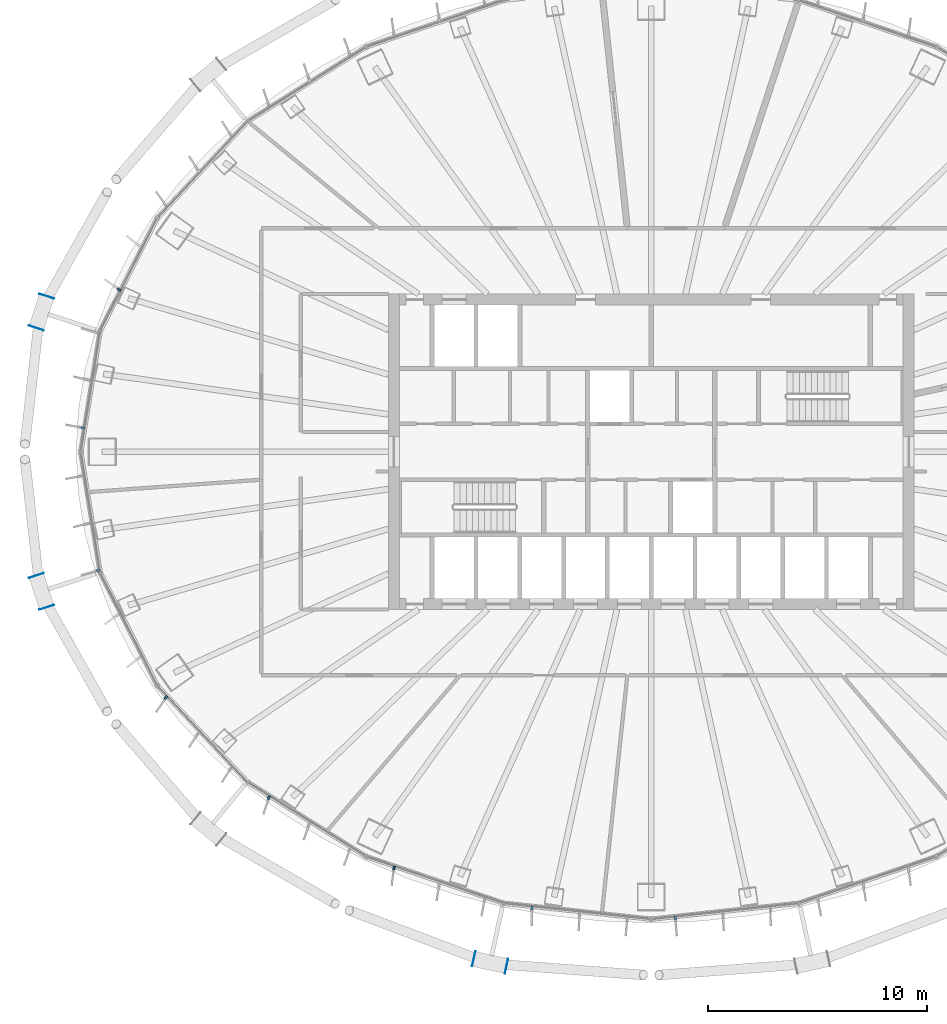
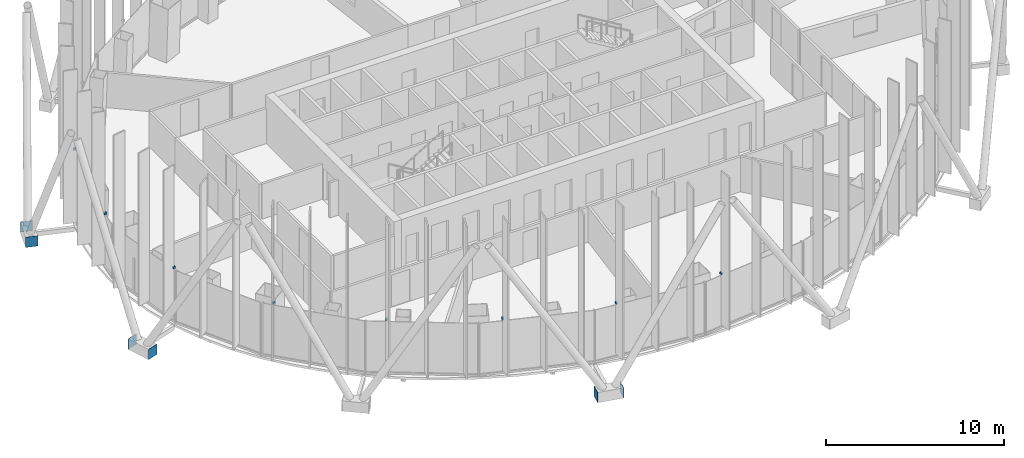
# One storey, part 13 of 19: 14 discrete accessories.
"""IFC4 building model written with IfcOpenShell, lengths in metres."""

from ifc_helpers import new_model, si_unit, direction, frame, origin, origin_2d, place, context, subcontext, project, spatial, rectangle, extrude, material, layer, layer_set, type_object, element, save


model = new_model("IFC4")

# Units and contexts
model_context = context("Model", 3, precision=1e-05, world=origin(), true_north=direction((0.0, 1.0)))
body_context = subcontext(model_context, "Body", "Model", "MODEL_VIEW")
ifc_project = project(units=[si_unit("LENGTHUNIT", "METRE"), si_unit("AREAUNIT", "SQUARE_METRE"), si_unit("VOLUMEUNIT", "CUBIC_METRE"), si_unit("PLANEANGLEUNIT", "RADIAN"), si_unit("MASSUNIT", "GRAM", prefix="KILO")], contexts=[model_context])

# Site, building, storey
site_placement = place(None, origin())
site = spatial("IfcSite", under=ifc_project, at=site_placement, CompositionType="ELEMENT")
building_placement = place(site_placement, origin())
building = spatial("IfcBuilding", under=site, at=building_placement, Name="Siaravel Broadcast Tower", CompositionType="ELEMENT")
storey_placement = place(building_placement, frame((0.0, 0.0, 97.10009765625)))
storey = spatial("IfcBuildingStorey", under=building, at=storey_placement, Name="L22", CompositionType="ELEMENT", Elevation=97.10009765625)

# Discrete accessories
ifc_material_1 = material(Name="Stainless steel 316", Category="steel")
discrete_accessory_type_1 = type_object("IfcDiscreteAccessoryType", Name="Stainless steel fin bracket", PredefinedType="USERDEFINED", material=ifc_material_1)
for number, where, z_axis, x_axis, name in (
    (1, (-24.29248046875, 7.4013671875, 3.68505859375), (0.0, 0.0, 1.0), (-0.892392151, 0.451260732, 0.0), "Fin bracket L22-31"),
    (2, (-25.94482421875, 1.0927734375, 3.68505859375), (0.0, 0.0, 1.0), (-0.987329198, 0.158685394, 0.0), "Fin bracket L22-34"),
    (3, (-25.25048828125, -5.413330078125, 3.68505859375), (0.0, 0.0, 1.0), (-0.987329198, -0.158685394, 0.0), "Fin bracket L22-37"),
    (4, (-22.149169921875, -11.21630859375, 3.68505859375), (0.0, 0.0, 1.0), (-0.729804415, -0.683655992, 0.0), "Fin bracket L22-40"),
    (5, (-17.453857421875, -15.78662109375, 3.68505859375), (0.0, 0.0, 1.0), (-0.532149452, -0.846650436, 0.0), "Fin bracket L22-43"),
    (6, (-11.74169921875, -18.998291015625, 3.68505859375), (0.0, 0.0, 1.0), (-0.321300635, -0.946977245, 0.0), "Fin bracket L22-46"),
    (7, (-5.447021484375, -20.831298828125, 3.68505859375), (0.0, 0.0, 1.0), (-0.107216783, -0.994235667, 0.0), "Fin bracket L22-49"),
    (8, (1.09619140625, -21.300537109375, 3.68505859375), (0.0, 0.0, 1.0), (0.107216783, -0.994235667, 0.0), "Fin bracket L22-52"),
):
    element("IfcDiscreteAccessory", number, at=place(storey_placement, frame(where, z_axis=z_axis, x_axis=x_axis)), inside=storey, type_object=discrete_accessory_type_1, Name=name, ObjectType="BRACKET", PredefinedType="USERDEFINED", context=body_context, shape_type="SweptSolid", body=[
        extrude(rectangle(XDim=0.159912109375, YDim=0.10009765625, at=origin_2d()), origin(), (0.0, 0.0, 1.0), 0.139892578125),
    ])
ifc_material_2 = material(Name="Steel S355", Category="steel")
ifc_layer = layer(ifc_material_2, 0.02001953125)
ifc_layer_set = layer_set([ifc_layer], Name="Steel S355")
discrete_accessory_type_2 = type_object("IfcDiscreteAccessoryType", Name="Steel end plate 20 mm", PredefinedType="USERDEFINED", material=ifc_layer_set)
for number, where, z_axis, x_axis, name in (
    (9, (-28.072998046875, 5.64990234375, -0.55029296875), (0.0, 0.0, 1.0), (-0.310908675, -0.950439791, 0.0), "End plate R10 station 33A"),
    (10, (-27.598388671875, 7.10107421875, -0.55029296875), (0.0, 0.0, 1.0), (-0.310908675, -0.950439791, 0.0), "End plate R10 station 33B"),
    (11, (-27.598388671875, -7.10107421875, -0.55029296875), (0.0, 0.0, 1.0), (0.310908675, -0.950439791, 0.0), "End plate R10 station 39A"),
    (12, (-28.072998046875, -5.64990234375, -0.55029296875), (0.0, 0.0, 1.0), (0.310908675, -0.950439791, 0.0), "End plate R10 station 39B"),
    (13, (-6.608154296875, -23.479736328125, -0.55029296875), (0.0, 0.0, 1.0), (0.976750917, -0.214377344, 0.0), "End plate R10 station 51A"),
    (14, (-8.099609375, -23.15234375, -0.55029296875), (0.0, 0.0, 1.0), (0.976750917, -0.214377344, 0.0), "End plate R10 station 51B"),
):
    element("IfcDiscreteAccessory", number, at=place(storey_placement, frame(where, z_axis=z_axis, x_axis=x_axis)), inside=storey, type_object=discrete_accessory_type_2, Name=name, ObjectType="END PLATE", PredefinedType="USERDEFINED", context=body_context, shape_type="SweptSolid", body=[
        extrude(rectangle(XDim=0.02001953125, YDim=0.699951171875, at=origin_2d()), origin(), (0.0, 0.0, 1.0), 0.699951171875),
    ])

save(model, "model.ifc")
